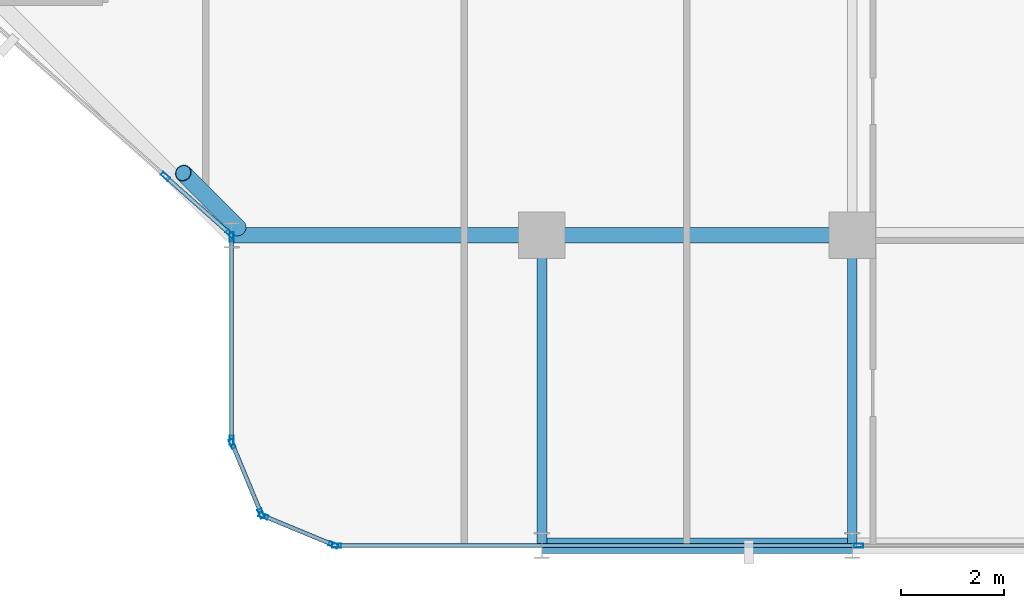
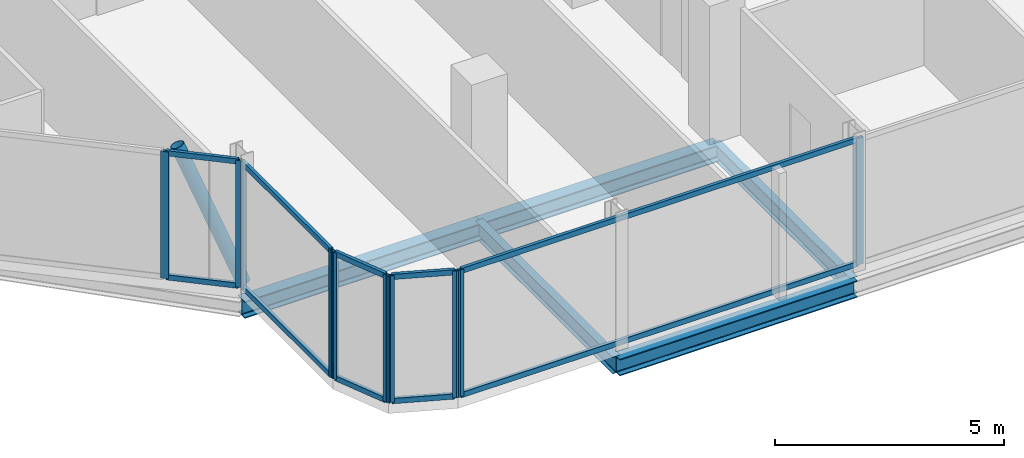
# One storey, part 5 of 31: 21 members, 5 beams, 5 elements without a shape of their own.
"""IFC4 building model written with IfcOpenShell, lengths in metres."""

from ifc_helpers import new_model, si_unit, direction, frame, origin, origin_2d, place, context, subcontext, project, spatial, hollow_rectangle, hollow_circle, i_section, extrude, material, layer, layer_set, material_profile, profile_set, type_object, element, aggregate, save


model = new_model("IFC4")

# Units and contexts
model_context = context("Model", 3, precision=1e-05, world=origin(), true_north=direction((0.0, 1.0)))
body_context = subcontext(model_context, "Body", "Model", "MODEL_VIEW")
ifc_project = project(units=[si_unit("LENGTHUNIT", "METRE"), si_unit("AREAUNIT", "SQUARE_METRE"), si_unit("VOLUMEUNIT", "CUBIC_METRE"), si_unit("PLANEANGLEUNIT", "RADIAN"), si_unit("MASSUNIT", "GRAM", prefix="KILO")], contexts=[model_context])

# Site, building, storey
site_placement = place(None, origin())
site = spatial("IfcSite", under=ifc_project, at=site_placement, CompositionType="ELEMENT")
building_placement = place(site_placement, origin())
building = spatial("IfcBuilding", under=site, at=building_placement, Name="Keshet Zoharim Tower", CompositionType="ELEMENT")
storey_placement = place(building_placement, frame((0.0, 0.0, 148.300048828125)))
storey = spatial("IfcBuildingStorey", under=building, at=storey_placement, Name="L36", CompositionType="ELEMENT", Elevation=148.300048828125)

# Beams
ifc_material_1 = material(Name="Steel S355", Category="steel")
ifc_material_profile_1 = material_profile(ifc_material_1, i_section(OverallWidth=0.18994140625, OverallDepth=0.449951171875, WebThickness=0.009521484375, FlangeThickness=0.0146484375, FilletRadius=0.02099609375, at=origin_2d()), Name="IPE450")
ifc_profile_set_1 = profile_set([ifc_material_profile_1], Name="Steel S355")
beam_type_1 = type_object("IfcBeamType", Name="BM-PRI-IP450", PredefinedType="BEAM", material=ifc_profile_set_1)
for number, where, z_axis, x_axis, name in (
    (1, (27.0, 0.699951171875, -0.5400390625), (0.0, 1.0, 0.0), (-1.0, 0.0, 0.0), "L36 Primary Girder Y-004"),
    (2, (33.0, 0.699951171875, -0.5400390625), (0.0, 1.0, 0.0), (-1.0, 0.0, 0.0), "L36 Primary Girder Y-005"),
):
    element("IfcBeam", number, at=place(storey_placement, frame(where, z_axis=z_axis, x_axis=x_axis)), inside=storey, type_object=beam_type_1, Name=name, PredefinedType="BEAM", context=body_context, shape_type="SweptSolid", body=[
        extrude(i_section(OverallWidth=0.18994140625, OverallDepth=0.449951171875, WebThickness=0.009521484375, FlangeThickness=0.0146484375, FilletRadius=0.02099609375, at=origin_2d()), origin(), (0.0, 0.0, 1.0), 6.0),
    ])
ifc_material_profile_2 = material_profile(ifc_material_1, i_section(OverallWidth=0.300048828125, OverallDepth=0.449951171875, WebThickness=0.013916015625, FlangeThickness=0.02587890625, FilletRadius=0.027099609375, at=origin_2d()), Name="HEB450")
ifc_profile_set_2 = profile_set([ifc_material_profile_2], Name="Steel S355")
beam_type_2 = type_object("IfcBeamType", Name="BM-WEB-HB450", PredefinedType="BEAM", material=ifc_profile_set_2)
for number, where, z_axis, x_axis, name in (
    (3, (27.0, 0.699951171875, -0.5400390625), (1.0, 0.0, 0.0), (0.0, 1.0, 0.0), "L36 Primary Girder X-001"),
    (4, (21.0, 6.699951171875, -0.5400390625), (1.0, 0.0, 0.0), (0.0, 1.0, 0.0), "L36 Primary Girder X-005"),
    (5, (27.0, 6.699951171875, -0.5400390625), (1.0, 0.0, 0.0), (0.0, 1.0, 0.0), "L36 Primary Girder X-006"),
):
    element("IfcBeam", number, at=place(storey_placement, frame(where, z_axis=z_axis, x_axis=x_axis)), inside=storey, type_object=beam_type_2, Name=name, PredefinedType="BEAM", context=body_context, shape_type="SweptSolid", body=[
        extrude(i_section(OverallWidth=0.300048828125, OverallDepth=0.449951171875, WebThickness=0.013916015625, FlangeThickness=0.02587890625, FilletRadius=0.027099609375, at=origin_2d()), origin(), (0.0, 0.0, 1.0), 6.0),
    ])

# Curtain wall, members
ifc_material_2 = material(Name="Aluminium 6063-T6", Category="aluminium")
ifc_layer = layer(ifc_material_2, 0.159912109375)
ifc_layer_set = layer_set([ifc_layer], Name="Aluminium 6063-T6")
curtain_wall_type = type_object("IfcCurtainWallType", Name="CW-SYS-03", PredefinedType="NOTDEFINED", material=ifc_layer_set)
curtain_wall_1_placement = place(storey_placement, origin())
curtain_wall_1 = element("IfcCurtainWall", 6, at=curtain_wall_1_placement, inside=storey, type_object=curtain_wall_type, Name="L36 Unitised Curtain Wall 03 Part 3", PredefinedType="NOTDEFINED")
ifc_material_profile_3 = material_profile(ifc_material_2, hollow_rectangle(XDim=0.080078125, YDim=0.179931640625, WallThickness=0.00439453125, at=origin_2d()), Name="MUL-80x180")
ifc_profile_set_3 = profile_set([ifc_material_profile_3], Name="Aluminium 6063-T6")
member_type_1 = type_object("IfcMemberType", Name="CWM-M18", PredefinedType="MULLION", material=ifc_profile_set_3)
member_1_placement = place(storey_placement, frame((33.1259765625, 0.699951171875, 0.0), z_axis=(0.0, 0.0, 1.0), x_axis=(0.0, -1.0, 0.0)))
member_1 = element("IfcMember", 7, at=member_1_placement, type_object=member_type_1, Name="CW-03 mullion 2", PredefinedType="MULLION", context=body_context, shape_type="SweptSolid", body=[
    extrude(hollow_rectangle(XDim=0.080078125, YDim=0.179931640625, WallThickness=0.00439453125, at=origin_2d()), origin(), (0.0, 0.0, 1.0), 3.385009765625),
])
member_2_placement = place(storey_placement, frame((23.034912109375, 0.699951171875, 0.0), z_axis=(0.0, 0.0, 1.0), x_axis=(0.0, -1.0, 0.0)))
member_2 = element("IfcMember", 8, at=member_2_placement, type_object=member_type_1, Name="CW-03 mullion 3", PredefinedType="MULLION", context=body_context, shape_type="SweptSolid", body=[
    extrude(hollow_rectangle(XDim=0.080078125, YDim=0.179931640625, WallThickness=0.00439453125, at=origin_2d()), origin(), (0.0, 0.0, 1.0), 3.385009765625),
])

curtain_wall_2_placement = place(storey_placement, origin())
curtain_wall_2 = element("IfcCurtainWall", 9, at=curtain_wall_2_placement, inside=storey, type_object=curtain_wall_type, Name="L36 Unitised Curtain Wall 04", PredefinedType="NOTDEFINED")
member_3_placement = place(storey_placement, frame((22.9677734375, 0.71337890625, 0.0), z_axis=(0.0, 0.0, 1.0), x_axis=(-0.382851849847, -0.92380975372, 0.0)))
member_3 = element("IfcMember", 10, at=member_3_placement, type_object=member_type_1, Name="CW-03 mullion 1", PredefinedType="MULLION", context=body_context, shape_type="SweptSolid", body=[
    extrude(hollow_rectangle(XDim=0.080078125, YDim=0.179931640625, WallThickness=0.00439453125, at=origin_2d()), origin(), (0.0, 0.0, 1.0), 3.385009765625),
])
member_4_placement = place(storey_placement, frame((21.618408203125, 1.272705078125, 0.0), z_axis=(0.0, 0.0, 1.0), x_axis=(-0.382851849847, -0.92380975372, 0.0)))
member_4 = element("IfcMember", 11, at=member_4_placement, type_object=member_type_1, Name="CW-03 mullion 2", PredefinedType="MULLION", context=body_context, shape_type="SweptSolid", body=[
    extrude(hollow_rectangle(XDim=0.080078125, YDim=0.179931640625, WallThickness=0.00439453125, at=origin_2d()), origin(), (0.0, 0.0, 1.0), 3.385009765625),
])

curtain_wall_3_placement = place(storey_placement, origin())
curtain_wall_3 = element("IfcCurtainWall", 12, at=curtain_wall_3_placement, inside=storey, type_object=curtain_wall_type, Name="L36 Unitised Curtain Wall 05", PredefinedType="NOTDEFINED")
member_5_placement = place(storey_placement, frame((21.572509765625, 1.318359375, 0.0), z_axis=(0.0, 0.0, 1.0), x_axis=(-0.92380975372, -0.382851849847, 0.0)))
member_5 = element("IfcMember", 13, at=member_5_placement, type_object=member_type_1, Name="CW-03 mullion 1", PredefinedType="MULLION", context=body_context, shape_type="SweptSolid", body=[
    extrude(hollow_rectangle(XDim=0.080078125, YDim=0.179931640625, WallThickness=0.00439453125, at=origin_2d()), origin(), (0.0, 0.0, 1.0), 3.385009765625),
])
member_6_placement = place(storey_placement, frame((21.013427734375, 2.667724609375, 0.0), z_axis=(0.0, 0.0, 1.0), x_axis=(-0.92380975372, -0.382851849847, 0.0)))
member_6 = element("IfcMember", 14, at=member_6_placement, type_object=member_type_1, Name="CW-03 mullion 2", PredefinedType="MULLION", context=body_context, shape_type="SweptSolid", body=[
    extrude(hollow_rectangle(XDim=0.080078125, YDim=0.179931640625, WallThickness=0.00439453125, at=origin_2d()), origin(), (0.0, 0.0, 1.0), 3.385009765625),
])

curtain_wall_4_placement = place(storey_placement, origin())
curtain_wall_4 = element("IfcCurtainWall", 15, at=curtain_wall_4_placement, inside=storey, type_object=curtain_wall_type, Name="L36 Unitised Curtain Wall 06", PredefinedType="NOTDEFINED")
member_7_placement = place(storey_placement, frame((21.0, 2.735107421875, 0.0), z_axis=(0.0, 0.0, 1.0), x_axis=(-1.0, 0.0, 0.0)))
member_7 = element("IfcMember", 16, at=member_7_placement, type_object=member_type_1, Name="CW-03 mullion 1", PredefinedType="MULLION", context=body_context, shape_type="SweptSolid", body=[
    extrude(hollow_rectangle(XDim=0.080078125, YDim=0.179931640625, WallThickness=0.00439453125, at=origin_2d()), origin(), (0.0, 0.0, 1.0), 3.385009765625),
])
member_8_placement = place(storey_placement, frame((21.0, 6.6650390625, 0.0), z_axis=(0.0, 0.0, 1.0), x_axis=(-1.0, 0.0, 0.0)))
member_8 = element("IfcMember", 17, at=member_8_placement, type_object=member_type_1, Name="CW-03 mullion 2", PredefinedType="MULLION", context=body_context, shape_type="SweptSolid", body=[
    extrude(hollow_rectangle(XDim=0.080078125, YDim=0.179931640625, WallThickness=0.00439453125, at=origin_2d()), origin(), (0.0, 0.0, 1.0), 3.385009765625),
])

curtain_wall_5_placement = place(storey_placement, origin())
curtain_wall_5 = element("IfcCurtainWall", 18, at=curtain_wall_5_placement, inside=storey, type_object=curtain_wall_type, Name="L36 Unitised Curtain Wall 07", PredefinedType="NOTDEFINED")
member_9_placement = place(storey_placement, frame((20.973876953125, 6.72314453125, 0.0), z_axis=(0.0, 0.0, 1.0), x_axis=(-0.664367393393, -0.747406159057, 0.0)))
member_9 = element("IfcMember", 19, at=member_9_placement, type_object=member_type_1, Name="CW-03 mullion 1", PredefinedType="MULLION", context=body_context, shape_type="SweptSolid", body=[
    extrude(hollow_rectangle(XDim=0.080078125, YDim=0.179931640625, WallThickness=0.00439453125, at=origin_2d()), origin(), (0.0, 0.0, 1.0), 3.385009765625),
])
member_10_placement = place(storey_placement, frame((19.720947265625, 7.8369140625, 0.0), z_axis=(0.0, 0.0, 1.0), x_axis=(-0.664367393393, -0.747406159057, 0.0)))
member_10 = element("IfcMember", 20, at=member_10_placement, type_object=member_type_1, Name="CW-03 mullion 2", PredefinedType="MULLION", context=body_context, shape_type="SweptSolid", body=[
    extrude(hollow_rectangle(XDim=0.080078125, YDim=0.179931640625, WallThickness=0.00439453125, at=origin_2d()), origin(), (0.0, 0.0, 1.0), 3.385009765625),
])

# Member
ifc_material_profile_4 = material_profile(ifc_material_2, hollow_rectangle(XDim=0.080078125, YDim=0.139892578125, WallThickness=0.00390625, at=origin_2d()), Name="TRN-80x140")
ifc_profile_set_4 = profile_set([ifc_material_profile_4], Name="Aluminium 6063-T6")
member_type_2 = type_object("IfcMemberType", Name="CWT-T14", PredefinedType="USERDEFINED", material=ifc_profile_set_4)
member_11_placement = place(storey_placement, frame((33.091064453125, 0.699951171875, 0.034912109375), z_axis=(-1.0, 0.0, 0.0), x_axis=(0.0, -1.0, 0.0)))
member_11 = element("IfcMember", 21, at=member_11_placement, type_object=member_type_2, Name="CW-03 transom 2.1", ObjectType="TRANSOM", PredefinedType="USERDEFINED", context=body_context, shape_type="SweptSolid", body=[
    extrude(hollow_rectangle(XDim=0.080078125, YDim=0.139892578125, WallThickness=0.00390625, at=origin_2d()), origin(), (0.0, 0.0, 1.0), 10.02099609375),
])

member_12_placement = place(storey_placement, frame((33.091064453125, 0.699951171875, 3.349853515625), z_axis=(-1.0, 0.0, 0.0), x_axis=(0.0, -1.0, 0.0)))
member_12 = element("IfcMember", 22, at=member_12_placement, type_object=member_type_2, Name="CW-03 transom 2.2", ObjectType="TRANSOM", PredefinedType="USERDEFINED", context=body_context, shape_type="SweptSolid", body=[
    extrude(hollow_rectangle(XDim=0.080078125, YDim=0.139892578125, WallThickness=0.00390625, at=origin_2d()), origin(), (0.0, 0.0, 1.0), 10.02099609375),
])

aggregate(curtain_wall_1, [member_1, member_2, member_11, member_12])

member_13_placement = place(storey_placement, frame((22.935302734375, 0.726806640625, 0.034912109375), z_axis=(-0.92379209995, 0.382894445076, 0.0), x_axis=(-0.382894445076, -0.92379209995, 0.0)))
member_13 = element("IfcMember", 23, at=member_13_placement, type_object=member_type_2, Name="CW-03 transom 1.1", ObjectType="TRANSOM", PredefinedType="USERDEFINED", context=body_context, shape_type="SweptSolid", body=[
    extrude(hollow_rectangle(XDim=0.080078125, YDim=0.139892578125, WallThickness=0.00390625, at=origin_2d()), origin(), (0.0, 0.0, 1.0), 1.390625),
])

member_14_placement = place(storey_placement, frame((22.935302734375, 0.726806640625, 3.349853515625), z_axis=(-0.92379209995, 0.382894445076, 0.0), x_axis=(-0.382894445076, -0.92379209995, 0.0)))
member_14 = element("IfcMember", 24, at=member_14_placement, type_object=member_type_2, Name="CW-03 transom 1.2", ObjectType="TRANSOM", PredefinedType="USERDEFINED", context=body_context, shape_type="SweptSolid", body=[
    extrude(hollow_rectangle(XDim=0.080078125, YDim=0.139892578125, WallThickness=0.00390625, at=origin_2d()), origin(), (0.0, 0.0, 1.0), 1.390625),
])

aggregate(curtain_wall_2, [member_3, member_4, member_13, member_14])

member_15_placement = place(storey_placement, frame((21.55908203125, 1.3505859375, 0.034912109375), z_axis=(-0.382744609247, 0.923854189844, 0.0), x_axis=(-0.923854189844, -0.382744609247, 0.0)))
member_15 = element("IfcMember", 25, at=member_15_placement, type_object=member_type_2, Name="CW-03 transom 1.1", ObjectType="TRANSOM", PredefinedType="USERDEFINED", context=body_context, shape_type="SweptSolid", body=[
    extrude(hollow_rectangle(XDim=0.080078125, YDim=0.139892578125, WallThickness=0.00390625, at=origin_2d()), origin(), (0.0, 0.0, 1.0), 1.390625),
])

member_16_placement = place(storey_placement, frame((21.55908203125, 1.3505859375, 3.349853515625), z_axis=(-0.382744609247, 0.923854189844, 0.0), x_axis=(-0.923854189844, -0.382744609247, 0.0)))
member_16 = element("IfcMember", 26, at=member_16_placement, type_object=member_type_2, Name="CW-03 transom 1.2", ObjectType="TRANSOM", PredefinedType="USERDEFINED", context=body_context, shape_type="SweptSolid", body=[
    extrude(hollow_rectangle(XDim=0.080078125, YDim=0.139892578125, WallThickness=0.00390625, at=origin_2d()), origin(), (0.0, 0.0, 1.0), 1.390625),
])

aggregate(curtain_wall_3, [member_5, member_6, member_15, member_16])

member_17_placement = place(storey_placement, frame((21.0, 2.77001953125, 0.034912109375), z_axis=(0.0, 1.0, 0.0), x_axis=(-1.0, 0.0, 0.0)))
member_17 = element("IfcMember", 27, at=member_17_placement, type_object=member_type_2, Name="CW-03 transom 1.1", ObjectType="TRANSOM", PredefinedType="USERDEFINED", context=body_context, shape_type="SweptSolid", body=[
    extrude(hollow_rectangle(XDim=0.080078125, YDim=0.139892578125, WallThickness=0.00390625, at=origin_2d()), origin(), (0.0, 0.0, 1.0), 3.85986328125),
])

member_18_placement = place(storey_placement, frame((21.0, 2.77001953125, 3.349853515625), z_axis=(0.0, 1.0, 0.0), x_axis=(-1.0, 0.0, 0.0)))
member_18 = element("IfcMember", 28, at=member_18_placement, type_object=member_type_2, Name="CW-03 transom 1.2", ObjectType="TRANSOM", PredefinedType="USERDEFINED", context=body_context, shape_type="SweptSolid", body=[
    extrude(hollow_rectangle(XDim=0.080078125, YDim=0.139892578125, WallThickness=0.00390625, at=origin_2d()), origin(), (0.0, 0.0, 1.0), 3.85986328125),
])

aggregate(curtain_wall_4, [member_7, member_8, member_17, member_18])

member_19_placement = place(storey_placement, frame((20.94775390625, 6.74658203125, 0.034912109375), z_axis=(-0.747459638873, 0.664307224299, 0.0), x_axis=(-0.664307224299, -0.747459638873, 0.0)))
member_19 = element("IfcMember", 29, at=member_19_placement, type_object=member_type_2, Name="CW-03 transom 1.1", ObjectType="TRANSOM", PredefinedType="USERDEFINED", context=body_context, shape_type="SweptSolid", body=[
    extrude(hollow_rectangle(XDim=0.080078125, YDim=0.139892578125, WallThickness=0.00390625, at=origin_2d()), origin(), (0.0, 0.0, 1.0), 1.60595703125),
])

member_20_placement = place(storey_placement, frame((20.94775390625, 6.74658203125, 3.349853515625), z_axis=(-0.747459638873, 0.664307224299, 0.0), x_axis=(-0.664307224299, -0.747459638873, 0.0)))
member_20 = element("IfcMember", 30, at=member_20_placement, type_object=member_type_2, Name="CW-03 transom 1.2", ObjectType="TRANSOM", PredefinedType="USERDEFINED", context=body_context, shape_type="SweptSolid", body=[
    extrude(hollow_rectangle(XDim=0.080078125, YDim=0.139892578125, WallThickness=0.00390625, at=origin_2d()), origin(), (0.0, 0.0, 1.0), 1.60595703125),
])

aggregate(curtain_wall_5, [member_9, member_10, member_19, member_20])

ifc_material_profile_5 = material_profile(ifc_material_1, hollow_circle(Radius=0.161865234375, WallThickness=0.012451171875, at=origin_2d()), Name="CHS323x12.5")
ifc_profile_set_5 = profile_set([ifc_material_profile_5], Name="Steel S355")
member_type_3 = type_object("IfcMemberType", Name="MB-BR-C323", PredefinedType="BRACE", material=ifc_profile_set_5)
member_21_placement = place(storey_placement, frame((21.1259765625, 6.842041015625, 0.0), z_axis=(-0.286558246199, 0.286558246199, 0.914203884848), x_axis=(-0.707106781187, -0.707106781187, 0.0)))
element("IfcMember", 31, at=member_21_placement, inside=storey, type_object=member_type_3, Name="L36 Perimeter Tube Brace 01", PredefinedType="BRACE", context=body_context, shape_type="SweptSolid", body=[
    extrude(hollow_circle(Radius=0.161865234375, WallThickness=0.012451171875, at=origin_2d()), origin(), (0.0, 0.0, 1.0), 3.70263671875),
])

save(model, "model.ifc")
